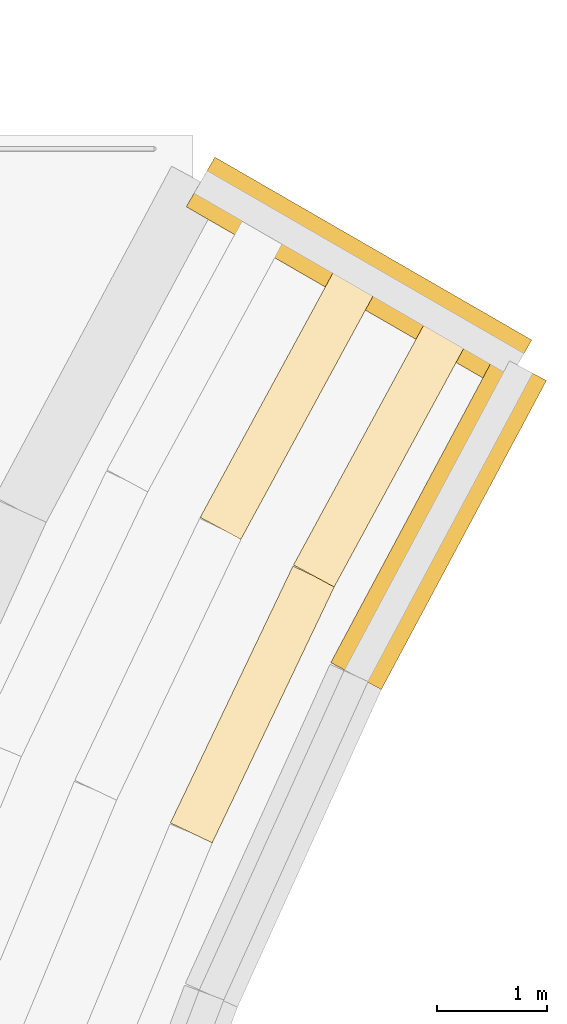
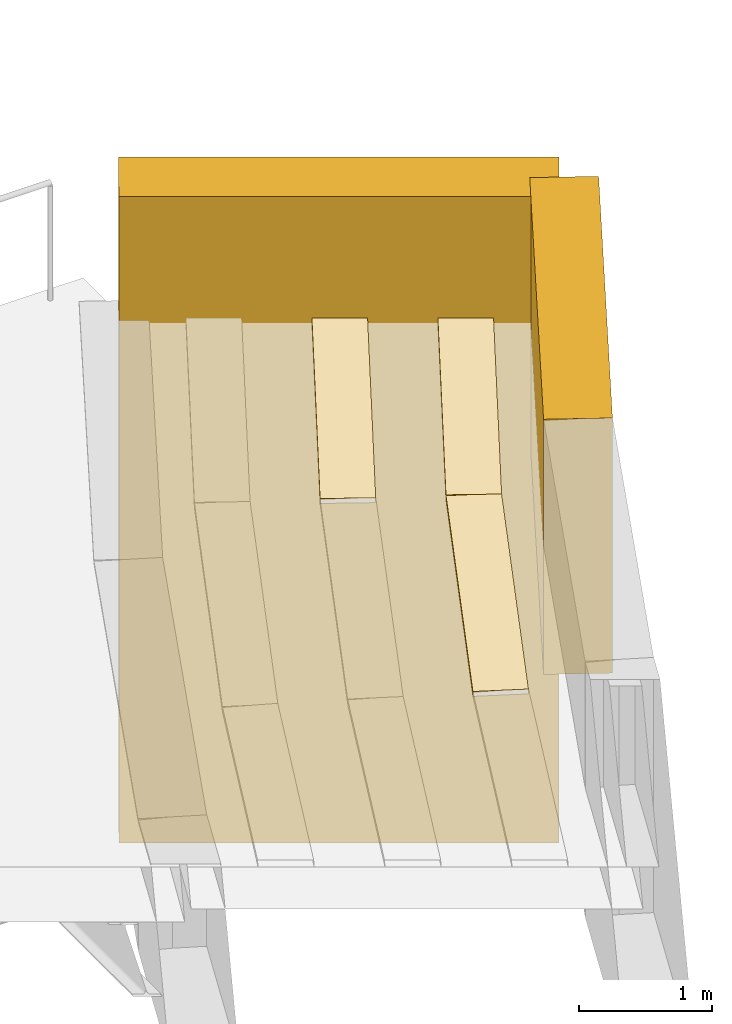
# One storey, part 157 of 157: 5 coverings.
"""IFC4 building model written with IfcOpenShell, lengths in metres."""

from ifc_helpers import new_model, si_unit, direction, frame, origin, place, context, subcontext, project, spatial, polyline, outline, extrude, material, layer, layer_set, type_object, element, save


model = new_model("IFC4")

# Units and contexts
model_context = context("Model", 3, precision=1e-05, world=origin(), true_north=direction((0.0, 1.0)))
body_context = subcontext(model_context, "Body", "Model", "MODEL_VIEW")
ifc_project = project(units=[si_unit("LENGTHUNIT", "METRE"), si_unit("AREAUNIT", "SQUARE_METRE"), si_unit("VOLUMEUNIT", "CUBIC_METRE"), si_unit("PLANEANGLEUNIT", "RADIAN"), si_unit("MASSUNIT", "GRAM", prefix="KILO")], contexts=[model_context])

# Site, building, storey
site_placement = place(None, origin())
site = spatial("IfcSite", under=ifc_project, at=site_placement, CompositionType="ELEMENT")
building_placement = place(site_placement, origin())
building = spatial("IfcBuilding", under=site, at=building_placement, Name="Chalmorin Arch Market", CompositionType="ELEMENT")
storey_placement = place(building_placement, frame((0.0, 0.0, 4.800048828125)))
storey = spatial("IfcBuildingStorey", under=building, at=storey_placement, Name="L01", CompositionType="ELEMENT", Elevation=4.800048828125)

# Coverings
ifc_material_1 = material(Name="Planted Green Roof Turf")
ifc_layer_1 = layer(ifc_material_1, 0.044921875)
ifc_layer_set_1 = layer_set([ifc_layer_1], Name="Planted Green Roof Turf")
covering_type_1 = type_object("IfcCoveringType", Name="VegetatedMoundTurfStrip-45", PredefinedType="ROOFING", material=ifc_layer_set_1)
covering_1_placement = place(storey_placement, origin())
element("IfcCovering", 1, at=covering_1_placement, inside=storey, type_object=covering_type_1, Name="VMT-45-118", PredefinedType="ROOFING", context=body_context, shape_type="SweptSolid", body=[
    extrude(outline(polyline([(141.077392578125, 57.17529296875), (139.844482421875, 54.904296875), (140.213623046875, 54.703857421875), (141.446533203125, 56.974853515625), (141.077392578125, 57.17529296875)])), origin(), (0.0, 0.0, 1.0), 0.044921875),
])
covering_2_placement = place(storey_placement, origin())
element("IfcCovering", 2, at=covering_2_placement, inside=storey, type_object=covering_type_1, Name="VMT-45-119", PredefinedType="ROOFING", context=body_context, shape_type="SweptSolid", body=[
    extrude(outline(polyline([(139.83935546875, 54.894287109375), (138.727294921875, 52.5625), (139.106689453125, 52.381591796875), (140.218505859375, 54.713623046875), (139.83935546875, 54.894287109375)])), origin(), (0.0, 0.0, 1.0), 0.044921875),
])
covering_3_placement = place(storey_placement, origin())
element("IfcCovering", 3, at=covering_3_placement, inside=storey, type_object=covering_type_1, Name="VMT-45-128", PredefinedType="ROOFING", context=body_context, shape_type="SweptSolid", body=[
    extrude(outline(polyline([(140.25439453125, 57.650146484375), (138.99755859375, 55.336181640625), (139.366455078125, 55.1357421875), (140.62353515625, 57.44970703125), (140.25439453125, 57.650146484375)])), origin(), (0.0, 0.0, 1.0), 0.044921875),
])
ifc_material_2 = material(Name="Precast concrete C40/50", Category="concrete")
ifc_layer_2 = layer(ifc_material_2, 0.054931640625)
ifc_layer_set_2 = layer_set([ifc_layer_2], Name="Precast concrete C40/50")
covering_type_2 = type_object("IfcCoveringType", Name="WhiteArchitecturalPrecastCladding-55", PredefinedType="CLADDING", material=ifc_layer_set_2)
covering_4_placement = place(storey_placement, frame((0.0, 0.0, -1.18994140625)))
element("IfcCovering", 4, at=covering_4_placement, inside=storey, type_object=covering_type_2, Name="WPC-55-049", PredefinedType="CLADDING", context=body_context, shape_type="SweptSolid", body=[
    extrude(outline(polyline([(141.681640625, 56.822509765625), (140.1826171875, 54.017578125), (140.641357421875, 53.7724609375), (142.140380859375, 56.577392578125), (141.681640625, 56.822509765625)])), origin(), (0.0, 0.0, 1.0), 2.349853515625),
])
covering_5_placement = place(storey_placement, frame((0.0, 0.0, -4.7900390625)))
element("IfcCovering", 5, at=covering_5_placement, inside=storey, type_object=covering_type_2, Name="WPC-55-087", PredefinedType="CLADDING", context=body_context, shape_type="SweptSolid", body=[
    extrude(outline(polyline([(142.007080078125, 56.9453125), (139.131103515625, 58.605224609375), (138.87109375, 58.15478515625), (141.7470703125, 56.494873046875), (142.007080078125, 56.9453125)])), origin(), (0.0, 0.0, 1.0), 5.949951171875),
])

save(model, "model.ifc")
